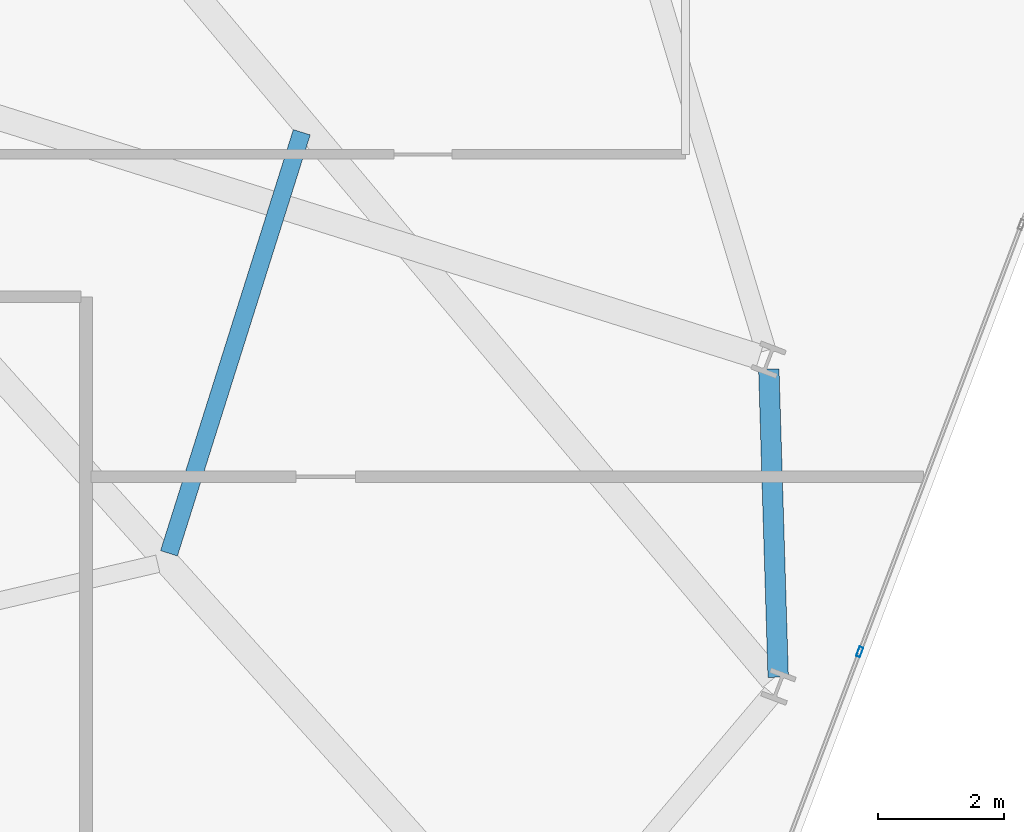
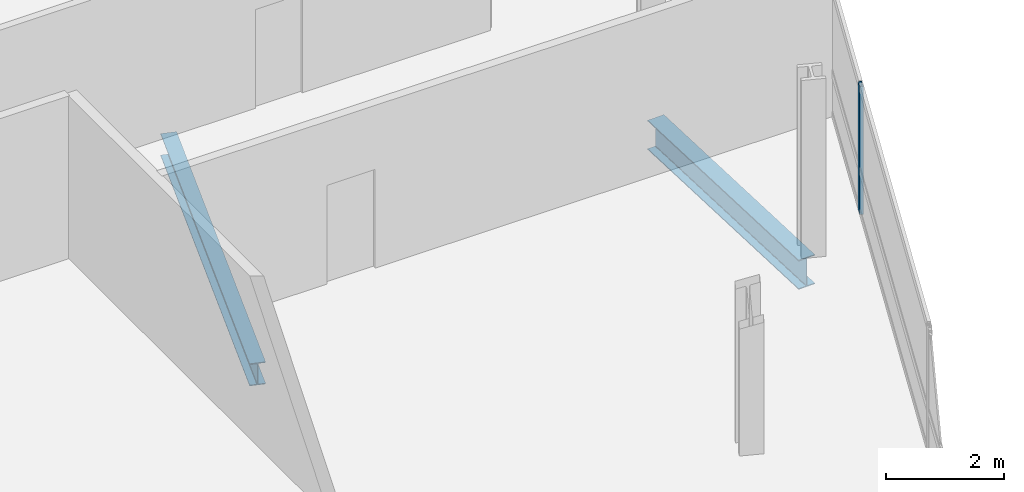
# One storey, part 11 of 25: 2 beams, 1 member, 1 element without a shape of its own.
"""IFC4 building model written with IfcOpenShell, lengths in metres."""

from ifc_helpers import new_model, si_unit, direction, frame, origin, origin_2d, place, context, subcontext, project, spatial, hollow_rectangle, i_section, extrude, material, layer, layer_set, material_profile, profile_set, type_object, element, aggregate, save


model = new_model("IFC4")

# Units and contexts
model_context = context("Model", 3, precision=1e-05, world=origin(), true_north=direction((0.0, 1.0)))
body_context = subcontext(model_context, "Body", "Model", "MODEL_VIEW")
ifc_project = project(units=[si_unit("LENGTHUNIT", "METRE"), si_unit("AREAUNIT", "SQUARE_METRE"), si_unit("VOLUMEUNIT", "CUBIC_METRE"), si_unit("PLANEANGLEUNIT", "RADIAN"), si_unit("MASSUNIT", "GRAM", prefix="KILO")], contexts=[model_context])

# Site, building, storey
site_placement = place(None, origin())
site = spatial("IfcSite", under=ifc_project, at=site_placement, CompositionType="ELEMENT")
building_placement = place(site_placement, origin())
building = spatial("IfcBuilding", under=site, at=building_placement, Name="Varnelok Gate Tower", CompositionType="ELEMENT")
storey_placement = place(building_placement, frame((0.0, 0.0, 113.199951171875)))
storey = spatial("IfcBuildingStorey", under=building, at=storey_placement, Name="L28", CompositionType="ELEMENT", Elevation=113.199951171875)

# Beams
ifc_material_1 = material(Name="Structural Steel ASTM A992 Grade 50", Category="steel")
ifc_material_profile_1 = material_profile(ifc_material_1, i_section(OverallWidth=0.280029296875, OverallDepth=0.462890625, WebThickness=0.0107421875, FlangeThickness=0.017333984375, FilletRadius=0.014892578125, at=origin_2d()), Name="W18X76")
ifc_profile_set_1 = profile_set([ifc_material_profile_1], Name="Structural Steel ASTM A992 Grade 50")
beam_type_1 = type_object("IfcBeamType", Name="BM-JST-W18X76", PredefinedType="JOIST", material=ifc_profile_set_1)
beam_1_placement = place(storey_placement, frame((61.81494140625, 10.285400390625, -0.4814453125), z_axis=(0.300718992384, 0.953712790949, 0.0), x_axis=(-0.953712790949, 0.300718992384, 0.0)))
element("IfcBeam", 1, at=beam_1_placement, inside=storey, type_object=beam_type_1, Name="L28 Sector Floor Joist 6", PredefinedType="JOIST", context=body_context, shape_type="SweptSolid", body=[
    extrude(i_section(OverallWidth=0.280029296875, OverallDepth=0.462890625, WebThickness=0.0107421875, FlangeThickness=0.017333984375, FilletRadius=0.014892578125, at=origin_2d()), origin(), (0.0, 0.0, 1.0), 6.9990234375),
])
ifc_material_profile_2 = material_profile(ifc_material_1, i_section(OverallWidth=0.323974609375, OverallDepth=0.611083984375, WebThickness=0.0126953125, FlangeThickness=0.01904296875, FilletRadius=0.01806640625, at=origin_2d()), Name="W24X104")
ifc_profile_set_2 = profile_set([ifc_material_profile_2], Name="Structural Steel ASTM A992 Grade 50")
beam_type_2 = type_object("IfcBeamType", Name="BM-SPN-W24X104", PredefinedType="SPANDREL", material=ifc_profile_set_2)
beam_2_placement = place(storey_placement, frame((71.471923828125, 8.322509765625, -0.555419921875), z_axis=(-0.030393553869, 0.999538009224, 0.0), x_axis=(-0.999538009224, -0.030393553869, 0.0)))
element("IfcBeam", 2, at=beam_2_placement, inside=storey, type_object=beam_type_2, Name="L28 Perimeter Spandrel Beam 7", PredefinedType="SPANDREL", context=body_context, shape_type="SweptSolid", body=[
    extrude(i_section(OverallWidth=0.323974609375, OverallDepth=0.611083984375, WebThickness=0.0126953125, FlangeThickness=0.01904296875, FilletRadius=0.01806640625, at=origin_2d()), origin(), (0.0, 0.0, 1.0), 4.8837890625),
])

# Curtain wall, member
ifc_material_2 = material(Name="Anodized Aluminum Alloy 6063-T6", Category="aluminium")
ifc_layer = layer(ifc_material_2, 0.179931640625)
ifc_layer_set = layer_set([ifc_layer], Name="Anodized Aluminum Alloy 6063-T6")
curtain_wall_type = type_object("IfcCurtainWallType", Name="CW3-HOTEL-VISION", PredefinedType="USERDEFINED", material=ifc_layer_set)
curtain_wall_placement = place(storey_placement, origin())
curtain_wall = element("IfcCurtainWall", 3, at=curtain_wall_placement, inside=storey, type_object=curtain_wall_type, Name="L28 East End Vision Curtain Wall", ObjectType="UNITISED CURTAIN WALL", PredefinedType="USERDEFINED")
ifc_material_profile_3 = material_profile(ifc_material_2, hollow_rectangle(XDim=0.06494140625, YDim=0.159912109375, WallThickness=0.00390625, at=origin_2d()), Name="ALU160X65X4")
ifc_profile_set_3 = profile_set([ifc_material_profile_3], Name="Anodized Aluminum Alloy 6063-T6")
member_type = type_object("IfcMemberType", Name="CW-MULL-160", PredefinedType="MULLION", material=ifc_profile_set_3)
member_placement = place(storey_placement, frame((72.7646484375, 8.72216796875, 0.0), z_axis=(0.0, 0.0, 1.0), x_axis=(0.935221323688, -0.354063660545, 0.0)))
member = element("IfcMember", 4, at=member_placement, type_object=member_type, Name="CW3 mullion 4", PredefinedType="MULLION", context=body_context, shape_type="SweptSolid", body=[
    extrude(hollow_rectangle(XDim=0.06494140625, YDim=0.159912109375, WallThickness=0.00390625, at=origin_2d()), origin(), (0.0, 0.0, 1.0), 2.66015625),
])
aggregate(curtain_wall, [member])

save(model, "model.ifc")
